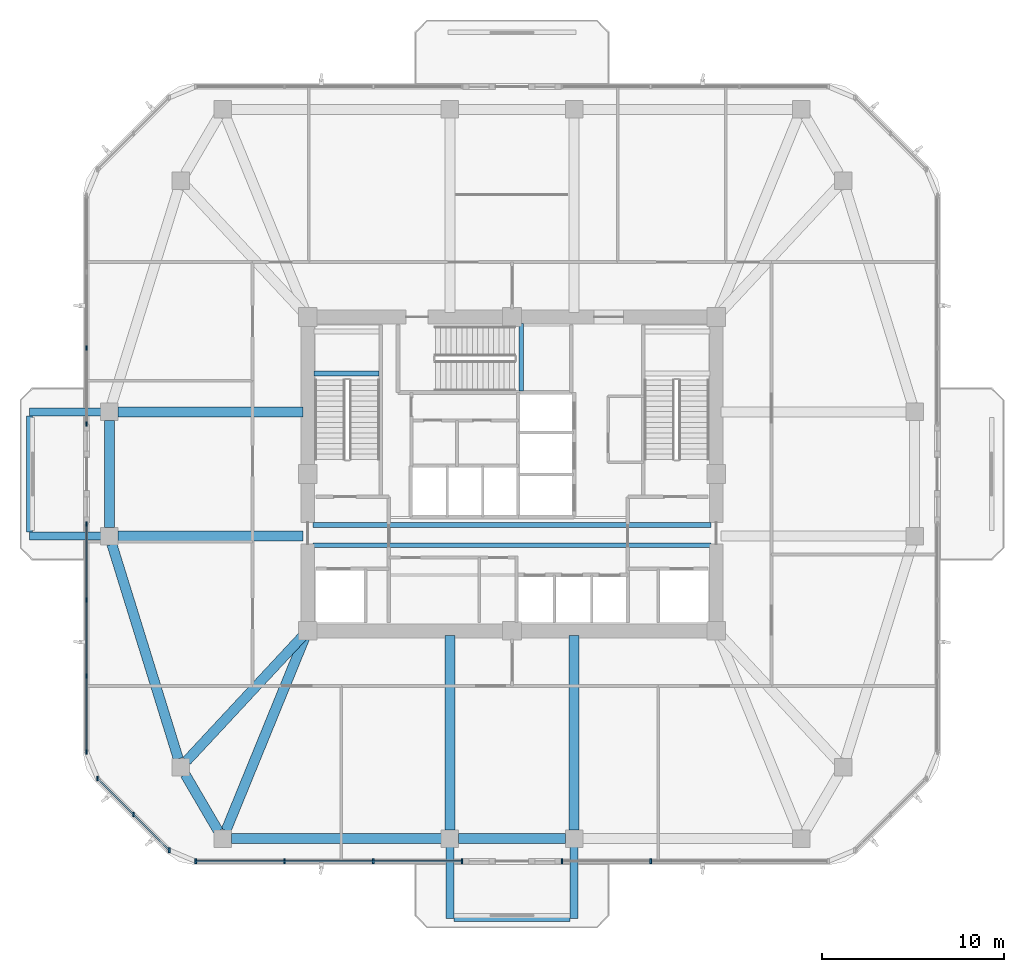
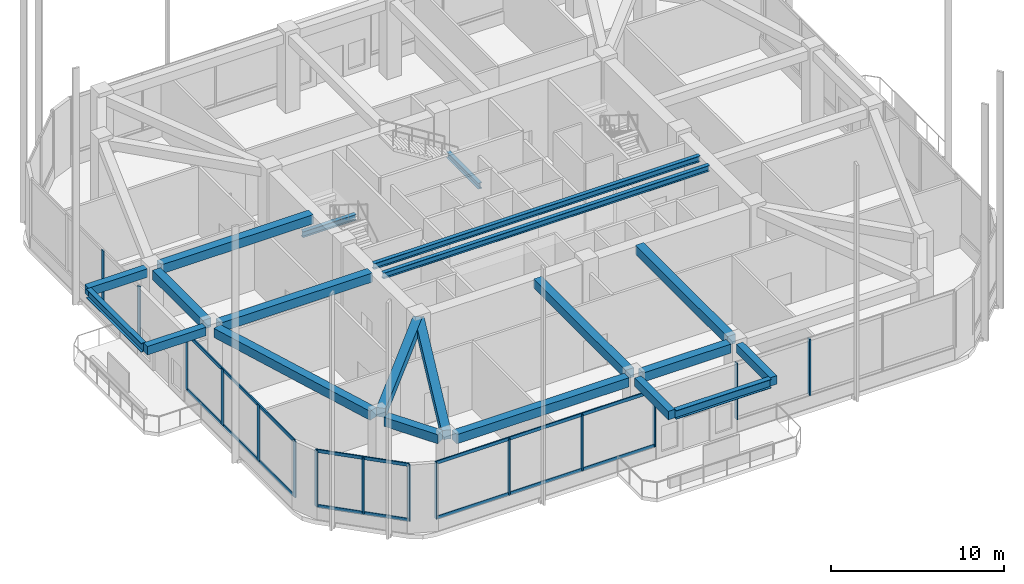
# One storey, part 2 of 12: 21 beams, 21 members, 5 elements without a shape of their own.
"""IFC4 building model written with IfcOpenShell, lengths in metres."""

from ifc_helpers import new_model, si_unit, derived_unit, direction, frame, origin, origin_2d, place, context, subcontext, project, spatial, rectangle, i_section, extrude, material, material_profile, profile_set, type_object, element, aggregate, save


model = new_model("IFC4")

# Units and contexts
model_context = context("Model", 3, precision=1e-05, world=origin(), true_north=direction((0.0, 1.0)))
body_context = subcontext(model_context, "Body", "Model", "MODEL_VIEW")
ifc_project = project(units=[si_unit("LENGTHUNIT", "METRE"), si_unit("AREAUNIT", "SQUARE_METRE"), si_unit("VOLUMEUNIT", "CUBIC_METRE"), si_unit("PLANEANGLEUNIT", "RADIAN"), si_unit("MASSUNIT", "GRAM", prefix="KILO"), derived_unit("THERMALTRANSMITTANCEUNIT", [(si_unit("POWERUNIT", "WATT"), 1), (si_unit("LENGTHUNIT", "METRE"), -2), (si_unit("THERMODYNAMICTEMPERATUREUNIT", "KELVIN"), -1)])], contexts=[model_context])

# Site, building, storey
site_placement = place(None, origin())
site = spatial("IfcSite", under=ifc_project, at=site_placement, CompositionType="ELEMENT")
building_placement = place(site_placement, origin())
building = spatial("IfcBuilding", under=site, at=building_placement, Name="Koralith Skygarden Medical Center", CompositionType="ELEMENT")
storey_placement = place(building_placement, frame((0.0, 0.0, 129.06005859375)))
storey = spatial("IfcBuildingStorey", under=building, at=storey_placement, Name="L33", CompositionType="ELEMENT", Elevation=129.06005859375)

# Curtain wall, members
ifc_material_1 = material(Name="Clear Laminated Glass", Category="glass")
curtain_wall_type = type_object("IfcCurtainWallType", Name="CW-7 Sky-Garden & Pool Conservatory Wall", PredefinedType="NOTDEFINED", material=ifc_material_1)
curtain_wall_1_placement = place(storey_placement, origin())
curtain_wall_1 = element("IfcCurtainWall", 1, at=curtain_wall_1_placement, inside=storey, type_object=curtain_wall_type, Name="Curtain Wall CW-L33-S-L", PredefinedType="NOTDEFINED")
ifc_material_2 = material(Name="Aluminium 6063-T6", Category="aluminium")
ifc_material_profile_1 = material_profile(ifc_material_2, rectangle(XDim=0.0859375, YDim=0.25, at=origin_2d()), Name="MUL86X250")
ifc_profile_set_1 = profile_set([ifc_material_profile_1], Name="Aluminium 6063-T6")
member_type_1 = type_object("IfcMemberType", Name="CW-7 Extruded Mullion 86x250", PredefinedType="MULLION", material=ifc_profile_set_1)
member_1_placement = place(storey_placement, frame((19.6708984375, 4.679931640625, 0.849853515625), z_axis=(0.0, 0.0, 1.0), x_axis=(1.0, 0.0, 0.0)))
member_1 = element("IfcMember", 2, at=member_1_placement, type_object=member_type_1, Name="CW-L33-S-L Mullion 1", PredefinedType="MULLION", context=body_context, shape_type="SweptSolid", body=[
    extrude(rectangle(XDim=0.0859375, YDim=0.25, at=origin_2d()), origin(), (0.0, 0.0, 1.0), 3.97998046875),
])
member_2_placement = place(storey_placement, frame((24.533935546875, 4.679931640625, 0.849853515625), z_axis=(0.0, 0.0, 1.0), x_axis=(1.0, 0.0, 0.0)))
member_2 = element("IfcMember", 3, at=member_2_placement, type_object=member_type_1, Name="CW-L33-S-L Mullion 2", PredefinedType="MULLION", context=body_context, shape_type="SweptSolid", body=[
    extrude(rectangle(XDim=0.0859375, YDim=0.25, at=origin_2d()), origin(), (0.0, 0.0, 1.0), 3.97998046875),
])
member_3_placement = place(storey_placement, frame((29.39599609375, 4.679931640625, 0.849853515625), z_axis=(0.0, 0.0, 1.0), x_axis=(1.0, 0.0, 0.0)))
member_3 = element("IfcMember", 4, at=member_3_placement, type_object=member_type_1, Name="CW-L33-S-L Mullion 3", PredefinedType="MULLION", context=body_context, shape_type="SweptSolid", body=[
    extrude(rectangle(XDim=0.0859375, YDim=0.25, at=origin_2d()), origin(), (0.0, 0.0, 1.0), 3.97998046875),
])
member_4_placement = place(storey_placement, frame((34.259033203125, 4.679931640625, 0.849853515625), z_axis=(0.0, 0.0, 1.0), x_axis=(1.0, 0.0, 0.0)))
member_4 = element("IfcMember", 5, at=member_4_placement, type_object=member_type_1, Name="CW-L33-S-L Mullion 4", PredefinedType="MULLION", context=body_context, shape_type="SweptSolid", body=[
    extrude(rectangle(XDim=0.0859375, YDim=0.25, at=origin_2d()), origin(), (0.0, 0.0, 1.0), 3.97998046875),
])

curtain_wall_2_placement = place(storey_placement, origin())
curtain_wall_2 = element("IfcCurtainWall", 6, at=curtain_wall_2_placement, inside=storey, type_object=curtain_wall_type, Name="Curtain Wall CW-L33-S-R", PredefinedType="NOTDEFINED")
member_5_placement = place(storey_placement, frame((39.739013671875, 4.679931640625, 0.849853515625), z_axis=(0.0, 0.0, 1.0), x_axis=(1.0, 0.0, 0.0)))
member_5 = element("IfcMember", 7, at=member_5_placement, type_object=member_type_1, Name="CW-L33-S-R Mullion 1", PredefinedType="MULLION", context=body_context, shape_type="SweptSolid", body=[
    extrude(rectangle(XDim=0.0859375, YDim=0.25, at=origin_2d()), origin(), (0.0, 0.0, 1.0), 3.97998046875),
])
member_6_placement = place(storey_placement, frame((44.60205078125, 4.679931640625, 0.849853515625), z_axis=(0.0, 0.0, 1.0), x_axis=(1.0, 0.0, 0.0)))
member_6 = element("IfcMember", 8, at=member_6_placement, type_object=member_type_1, Name="CW-L33-S-R Mullion 2", PredefinedType="MULLION", context=body_context, shape_type="SweptSolid", body=[
    extrude(rectangle(XDim=0.0859375, YDim=0.25, at=origin_2d()), origin(), (0.0, 0.0, 1.0), 3.97998046875),
])
aggregate(curtain_wall_2, [member_5, member_6])

curtain_wall_3_placement = place(storey_placement, origin())
curtain_wall_3 = element("IfcCurtainWall", 9, at=curtain_wall_3_placement, inside=storey, type_object=curtain_wall_type, Name="Curtain Wall CW-L33-W-L", PredefinedType="NOTDEFINED")
member_7_placement = place(storey_placement, frame((13.696044921875, 32.80908203125, 0.849853515625), z_axis=(0.0, 0.0, 1.0), x_axis=(1.0, 0.0, 0.0)))
member_7 = element("IfcMember", 10, at=member_7_placement, type_object=member_type_1, Name="CW-L33-W-L Mullion 3", PredefinedType="MULLION", context=body_context, shape_type="SweptSolid", body=[
    extrude(rectangle(XDim=0.0859375, YDim=0.25, at=origin_2d()), origin(), (0.0, 0.0, 1.0), 3.97998046875),
])
member_8_placement = place(storey_placement, frame((13.696044921875, 28.64111328125, 0.849853515625), z_axis=(0.0, 0.0, 1.0), x_axis=(1.0, 0.0, 0.0)))
member_8 = element("IfcMember", 11, at=member_8_placement, type_object=member_type_1, Name="CW-L33-W-L Mullion 4", PredefinedType="MULLION", context=body_context, shape_type="SweptSolid", body=[
    extrude(rectangle(XDim=0.0859375, YDim=0.25, at=origin_2d()), origin(), (0.0, 0.0, 1.0), 3.97998046875),
])
aggregate(curtain_wall_3, [member_7, member_8])

curtain_wall_4_placement = place(storey_placement, origin())
curtain_wall_4 = element("IfcCurtainWall", 12, at=curtain_wall_4_placement, inside=storey, type_object=curtain_wall_type, Name="Curtain Wall CW-L33-W-R", PredefinedType="NOTDEFINED")
member_9_placement = place(storey_placement, frame((13.696044921875, 23.160888671875, 0.849853515625), z_axis=(0.0, 0.0, 1.0), x_axis=(1.0, 0.0, 0.0)))
member_9 = element("IfcMember", 13, at=member_9_placement, type_object=member_type_1, Name="CW-L33-W-R Mullion 1", PredefinedType="MULLION", context=body_context, shape_type="SweptSolid", body=[
    extrude(rectangle(XDim=0.0859375, YDim=0.25, at=origin_2d()), origin(), (0.0, 0.0, 1.0), 3.97998046875),
])
member_10_placement = place(storey_placement, frame((13.696044921875, 18.991943359375, 0.849853515625), z_axis=(0.0, 0.0, 1.0), x_axis=(1.0, 0.0, 0.0)))
member_10 = element("IfcMember", 14, at=member_10_placement, type_object=member_type_1, Name="CW-L33-W-R Mullion 2", PredefinedType="MULLION", context=body_context, shape_type="SweptSolid", body=[
    extrude(rectangle(XDim=0.0859375, YDim=0.25, at=origin_2d()), origin(), (0.0, 0.0, 1.0), 3.97998046875),
])
member_11_placement = place(storey_placement, frame((13.696044921875, 14.823974609375, 0.849853515625), z_axis=(0.0, 0.0, 1.0), x_axis=(1.0, 0.0, 0.0)))
member_11 = element("IfcMember", 15, at=member_11_placement, type_object=member_type_1, Name="CW-L33-W-R Mullion 3", PredefinedType="MULLION", context=body_context, shape_type="SweptSolid", body=[
    extrude(rectangle(XDim=0.0859375, YDim=0.25, at=origin_2d()), origin(), (0.0, 0.0, 1.0), 3.97998046875),
])
member_12_placement = place(storey_placement, frame((13.696044921875, 10.655029296875, 0.849853515625), z_axis=(0.0, 0.0, 1.0), x_axis=(1.0, 0.0, 0.0)))
member_12 = element("IfcMember", 16, at=member_12_placement, type_object=member_type_1, Name="CW-L33-W-R Mullion 4", PredefinedType="MULLION", context=body_context, shape_type="SweptSolid", body=[
    extrude(rectangle(XDim=0.0859375, YDim=0.25, at=origin_2d()), origin(), (0.0, 0.0, 1.0), 3.97998046875),
])

curtain_wall_5_placement = place(storey_placement, origin())
curtain_wall_5 = element("IfcCurtainWall", 17, at=curtain_wall_5_placement, inside=storey, type_object=curtain_wall_type, Name="Curtain Wall CW-L33-SW", PredefinedType="NOTDEFINED")
member_13_placement = place(storey_placement, frame((14.297119140625, 9.2041015625, 0.849853515625), z_axis=(0.0, 0.0, 1.0), x_axis=(1.0, 0.0, 0.0)))
member_13 = element("IfcMember", 18, at=member_13_placement, type_object=member_type_1, Name="CW-L33-SW Mullion 1", PredefinedType="MULLION", context=body_context, shape_type="SweptSolid", body=[
    extrude(rectangle(XDim=0.0859375, YDim=0.25, at=origin_2d()), origin(), (0.0, 0.0, 1.0), 3.97998046875),
])
member_14_placement = place(storey_placement, frame((16.258056640625, 7.241943359375, 0.849853515625), z_axis=(0.0, 0.0, 1.0), x_axis=(1.0, 0.0, 0.0)))
member_14 = element("IfcMember", 19, at=member_14_placement, type_object=member_type_1, Name="CW-L33-SW Mullion 2", PredefinedType="MULLION", context=body_context, shape_type="SweptSolid", body=[
    extrude(rectangle(XDim=0.0859375, YDim=0.25, at=origin_2d()), origin(), (0.0, 0.0, 1.0), 3.97998046875),
])
member_15_placement = place(storey_placement, frame((18.219970703125, 5.281005859375, 0.849853515625), z_axis=(0.0, 0.0, 1.0), x_axis=(1.0, 0.0, 0.0)))
member_15 = element("IfcMember", 20, at=member_15_placement, type_object=member_type_1, Name="CW-L33-SW Mullion 3", PredefinedType="MULLION", context=body_context, shape_type="SweptSolid", body=[
    extrude(rectangle(XDim=0.0859375, YDim=0.25, at=origin_2d()), origin(), (0.0, 0.0, 1.0), 3.97998046875),
])

# Member
ifc_material_profile_2 = material_profile(ifc_material_2, rectangle(XDim=0.0810546875, YDim=0.22509765625, at=origin_2d()), Name="TRN81X225")
ifc_profile_set_2 = profile_set([ifc_material_profile_2], Name="Aluminium 6063-T6")
member_type_2 = type_object("IfcMemberType", Name="CW-7 Thermal Transom 81x225", PredefinedType="USERDEFINED", material=ifc_profile_set_2)
member_16_placement = place(storey_placement, frame((19.6708984375, 4.679931640625, 0.89990234375), z_axis=(1.0, 0.0, 0.0), x_axis=(0.0, 1.0, 0.0)))
member_16 = element("IfcMember", 21, at=member_16_placement, type_object=member_type_2, Name="CW-L33-S-L Transom 1", ObjectType="TRANSOM", PredefinedType="USERDEFINED", context=body_context, shape_type="SweptSolid", body=[
    extrude(rectangle(XDim=0.0810546875, YDim=0.22509765625, at=origin_2d()), origin(), (0.0, 0.0, 1.0), 14.588134765625),
])

member_17_placement = place(storey_placement, frame((19.6708984375, 4.679931640625, 4.780029296875), z_axis=(1.0, 0.0, 0.0), x_axis=(0.0, 1.0, 0.0)))
member_17 = element("IfcMember", 22, at=member_17_placement, type_object=member_type_2, Name="CW-L33-S-L Transom 2", ObjectType="TRANSOM", PredefinedType="USERDEFINED", context=body_context, shape_type="SweptSolid", body=[
    extrude(rectangle(XDim=0.0810546875, YDim=0.22509765625, at=origin_2d()), origin(), (0.0, 0.0, 1.0), 14.588134765625),
])

aggregate(curtain_wall_1, [member_1, member_2, member_3, member_4, member_16, member_17])

member_18_placement = place(storey_placement, frame((13.696044921875, 23.160888671875, 0.89990234375), z_axis=(0.0, -1.0, 0.0), x_axis=(1.0, 0.0, 0.0)))
member_18 = element("IfcMember", 23, at=member_18_placement, type_object=member_type_2, Name="CW-L33-W-R Transom 1", ObjectType="TRANSOM", PredefinedType="USERDEFINED", context=body_context, shape_type="SweptSolid", body=[
    extrude(rectangle(XDim=0.0810546875, YDim=0.22509765625, at=origin_2d()), origin(), (0.0, 0.0, 1.0), 12.505859375),
])

member_19_placement = place(storey_placement, frame((13.696044921875, 23.160888671875, 4.780029296875), z_axis=(0.0, -1.0, 0.0), x_axis=(1.0, 0.0, 0.0)))
member_19 = element("IfcMember", 24, at=member_19_placement, type_object=member_type_2, Name="CW-L33-W-R Transom 2", ObjectType="TRANSOM", PredefinedType="USERDEFINED", context=body_context, shape_type="SweptSolid", body=[
    extrude(rectangle(XDim=0.0810546875, YDim=0.22509765625, at=origin_2d()), origin(), (0.0, 0.0, 1.0), 12.505859375),
])

aggregate(curtain_wall_4, [member_9, member_10, member_11, member_12, member_18, member_19])

member_20_placement = place(storey_placement, frame((14.297119140625, 9.2041015625, 0.89990234375), z_axis=(0.707084777957, -0.707128783731, 0.0), x_axis=(0.707128783731, 0.707084777957, 0.0)))
member_20 = element("IfcMember", 25, at=member_20_placement, type_object=member_type_2, Name="CW-L33-SW Transom 1", ObjectType="TRANSOM", PredefinedType="USERDEFINED", context=body_context, shape_type="SweptSolid", body=[
    extrude(rectangle(XDim=0.0810546875, YDim=0.22509765625, at=origin_2d()), origin(), (0.0, 0.0, 1.0), 5.5478515625),
])

member_21_placement = place(storey_placement, frame((14.297119140625, 9.2041015625, 4.780029296875), z_axis=(0.707084777957, -0.707128783731, 0.0), x_axis=(0.707128783731, 0.707084777957, 0.0)))
member_21 = element("IfcMember", 26, at=member_21_placement, type_object=member_type_2, Name="CW-L33-SW Transom 2", ObjectType="TRANSOM", PredefinedType="USERDEFINED", context=body_context, shape_type="SweptSolid", body=[
    extrude(rectangle(XDim=0.0810546875, YDim=0.22509765625, at=origin_2d()), origin(), (0.0, 0.0, 1.0), 5.5478515625),
])

aggregate(curtain_wall_5, [member_13, member_14, member_15, member_20, member_21])

# Beams
ifc_material_3 = material(Name="Steel ASTM A992 Grade 50", Category="steel")
ifc_material_profile_3 = material_profile(ifc_material_3, i_section(OverallWidth=0.326904296875, OverallDepth=0.6220703125, WebThickness=0.015380859375, FlangeThickness=0.0244140625, at=origin_2d()), Name="W24X131")
ifc_profile_set_3 = profile_set([ifc_material_profile_3], Name="Steel ASTM A992 Grade 50")
beam_type_1 = type_object("IfcBeamType", Name="Cantilever Tie Beam W24X131", PredefinedType="BEAM", material=ifc_profile_set_3)
beam_1_placement = place(storey_placement, frame((33.820068359375, 1.5400390625, 5.18896484375), z_axis=(1.0, 0.0, 0.0), x_axis=(0.0, 1.0, 0.0)))
element("IfcBeam", 27, at=beam_1_placement, inside=storey, type_object=beam_type_1, Name="L34 S Balcony Tip Tie Beam", PredefinedType="BEAM", context=body_context, shape_type="SweptSolid", body=[
    extrude(i_section(OverallWidth=0.326904296875, OverallDepth=0.6220703125, WebThickness=0.015380859375, FlangeThickness=0.0244140625, at=origin_2d()), origin(), (0.0, 0.0, 1.0), 6.35986328125),
])
beam_2_placement = place(storey_placement, frame((10.555908203125, 22.719970703125, 5.18896484375), z_axis=(0.0, 1.0, 0.0), x_axis=(-1.0, 0.0, 0.0)))
element("IfcBeam", 28, at=beam_2_placement, inside=storey, type_object=beam_type_1, Name="L34 W Balcony Tip Tie Beam", PredefinedType="BEAM", context=body_context, shape_type="SweptSolid", body=[
    extrude(i_section(OverallWidth=0.326904296875, OverallDepth=0.6220703125, WebThickness=0.015380859375, FlangeThickness=0.0244140625, at=origin_2d()), origin(), (0.0, 0.0, 1.0), 6.360107421875),
])
ifc_material_profile_4 = material_profile(ifc_material_3, i_section(OverallWidth=0.260009765625, OverallDepth=0.4150390625, WebThickness=0.010009765625, FlangeThickness=0.016845703125, at=origin_2d()), Name="W16X67")
ifc_profile_set_4 = profile_set([ifc_material_profile_4], Name="Steel ASTM A992 Grade 50")
beam_type_2 = type_object("IfcBeamType", Name="Clinical Floor Joist W16X67", PredefinedType="JOIST", material=ifc_profile_set_4)
for number, where, z_axis, x_axis, name in (
    (29, (26.10009765625, 22.0, 5.27197265625), (1.0, 0.0, 0.0), (0.0, 1.0, 0.0), "L33 Core Lobby Floor Joist 1"),
    (30, (26.10009765625, 23.10009765625, 5.27197265625), (1.0, 0.0, 0.0), (0.0, 1.0, 0.0), "L33 Core Lobby Floor Joist 2"),
):
    element("IfcBeam", number, at=place(storey_placement, frame(where, z_axis=z_axis, x_axis=x_axis)), inside=storey, type_object=beam_type_2, Name=name, PredefinedType="JOIST", context=body_context, shape_type="SweptSolid", body=[
        extrude(i_section(OverallWidth=0.260009765625, OverallDepth=0.4150390625, WebThickness=0.010009765625, FlangeThickness=0.016845703125, at=origin_2d()), origin(), (0.0, 0.0, 1.0), 21.7998046875),
    ])
beam_3_placement = place(storey_placement, frame((26.155029296875, 31.39990234375, 2.471923828125), z_axis=(1.0, 0.0, 0.0), x_axis=(0.0, 1.0, 0.0)))
element("IfcBeam", 31, at=beam_3_placement, inside=storey, type_object=beam_type_2, Name="L33 Stair ST1 Half-Landing Support Beam 1A", PredefinedType="JOIST", context=body_context, shape_type="SweptSolid", body=[
    extrude(i_section(OverallWidth=0.260009765625, OverallDepth=0.4150390625, WebThickness=0.010009765625, FlangeThickness=0.016845703125, at=origin_2d()), origin(), (0.0, 0.0, 1.0), 3.56494140625),
])
beam_4_placement = place(storey_placement, frame((37.5, 30.43994140625, 2.471923828125), z_axis=(0.0, 1.0, 0.0), x_axis=(-1.0, 0.0, 0.0)))
element("IfcBeam", 32, at=beam_4_placement, inside=storey, type_object=beam_type_2, Name="L33 Stair ST3 Half-Landing Support Beam 1A", PredefinedType="JOIST", context=body_context, shape_type="SweptSolid", body=[
    extrude(i_section(OverallWidth=0.260009765625, OverallDepth=0.4150390625, WebThickness=0.010009765625, FlangeThickness=0.016845703125, at=origin_2d()), origin(), (0.0, 0.0, 1.0), 3.705078125),
])
ifc_material_4 = material(Name="Concrete C45/55", Category="concrete")
ifc_material_profile_5 = material_profile(ifc_material_4, rectangle(XDim=0.449951171875, YDim=0.60009765625, at=origin_2d()), Name="RCB450X600")
ifc_profile_set_5 = profile_set([ifc_material_profile_5], Name="Concrete C45/55")
beam_type_3 = type_object("IfcBeamType", Name="Planted Balcony Cantilever Beam RCB450X600", PredefinedType="BEAM", material=ifc_profile_set_5)
for number, where, z_axis, x_axis, name in (
    (33, (33.60009765625, 5.4599609375, 5.199951171875), (0.0, -1.0, 0.0), (1.0, 0.0, 0.0), "L34 S Balcony Cantilever Beam A"),
    (34, (40.39990234375, 5.4599609375, 5.199951171875), (0.0, -1.0, 0.0), (1.0, 0.0, 0.0), "L34 S Balcony Cantilever Beam B"),
):
    element("IfcBeam", number, at=place(storey_placement, frame(where, z_axis=z_axis, x_axis=x_axis)), inside=storey, type_object=beam_type_3, Name=name, PredefinedType="BEAM", context=body_context, shape_type="SweptSolid", body=[
        extrude(rectangle(XDim=0.449951171875, YDim=0.60009765625, at=origin_2d()), origin(), (0.0, 0.0, 1.0), 3.919921875),
    ])
for number, where, z_axis, x_axis, name in (
    (35, (14.47607421875, 22.5, 5.199951171875), (-1.0, 0.0, 0.0), (0.0, -1.0, 0.0), "L34 W Balcony Cantilever Beam A"),
    (36, (14.47607421875, 29.300048828125, 5.199951171875), (-1.0, 0.0, 0.0), (0.0, -1.0, 0.0), "L34 W Balcony Cantilever Beam B"),
):
    element("IfcBeam", number, at=place(storey_placement, frame(where, z_axis=z_axis, x_axis=x_axis)), inside=storey, type_object=beam_type_3, Name=name, PredefinedType="BEAM", context=body_context, shape_type="SweptSolid", body=[
        extrude(rectangle(XDim=0.449951171875, YDim=0.60009765625, at=origin_2d()), origin(), (0.0, 0.0, 1.0), 3.920166015625),
    ])
ifc_material_profile_6 = material_profile(ifc_material_4, rectangle(XDim=0.550048828125, YDim=0.639892578125, at=origin_2d()), Name="RCB550X640")
ifc_profile_set_6 = profile_set([ifc_material_profile_6], Name="Concrete C45/55")
beam_type_4 = type_object("IfcBeamType", Name="Radial Collector Beam RCB550X640", PredefinedType="BEAM", material=ifc_profile_set_6)
beam_5_placement = place(storey_placement, frame((25.550048828125, 22.5, 5.159912109375), z_axis=(-1.0, 0.0, 0.0), x_axis=(0.0, -1.0, 0.0)))
element("IfcBeam", 37, at=beam_5_placement, inside=storey, type_object=beam_type_4, Name="L33 Radial Collector Beam RB-01", PredefinedType="BEAM", context=body_context, shape_type="SweptSolid", body=[
    extrude(rectangle(XDim=0.550048828125, YDim=0.639892578125, at=origin_2d()), origin(), (0.0, 0.0, 1.0), 10.14404296875),
])
beam_6_placement = place(storey_placement, frame((25.6298828125, 17.116943359375, 5.159912109375), z_axis=(-0.681369011591, -0.731940072713, 0.0), x_axis=(0.731940072713, -0.681369011591, 0.0)))
element("IfcBeam", 38, at=beam_6_placement, inside=storey, type_object=beam_type_4, Name="L33 Radial Collector Beam RB-02", PredefinedType="BEAM", context=body_context, shape_type="SweptSolid", body=[
    extrude(rectangle(XDim=0.550048828125, YDim=0.639892578125, at=origin_2d()), origin(), (0.0, 0.0, 1.0), 9.471923828125),
])
beam_7_placement = place(storey_placement, frame((25.705078125, 17.069091796875, 5.159912109375), z_axis=(-0.378344544364, -0.92566484526, 0.0), x_axis=(0.92566484526, -0.378344544364, 0.0)))
element("IfcBeam", 39, at=beam_7_placement, inside=storey, type_object=beam_type_4, Name="L33 Radial Collector Beam RB-03", PredefinedType="BEAM", context=body_context, shape_type="SweptSolid", body=[
    extrude(rectangle(XDim=0.550048828125, YDim=0.639892578125, at=origin_2d()), origin(), (0.0, 0.0, 1.0), 11.574462890625),
])
for number, where, z_axis, x_axis, name in (
    (40, (33.60009765625, 17.050048828125, 5.159912109375), (0.0, -1.0, 0.0), (1.0, 0.0, 0.0), "L33 Radial Collector Beam RB-04"),
    (41, (40.39990234375, 17.050048828125, 5.159912109375), (0.0, -1.0, 0.0), (1.0, 0.0, 0.0), "L33 Radial Collector Beam RB-05"),
):
    element("IfcBeam", number, at=place(storey_placement, frame(where, z_axis=z_axis, x_axis=x_axis)), inside=storey, type_object=beam_type_4, Name=name, PredefinedType="BEAM", context=body_context, shape_type="SweptSolid", body=[
        extrude(rectangle(XDim=0.550048828125, YDim=0.639892578125, at=origin_2d()), origin(), (0.0, 0.0, 1.0), 10.66015625),
    ])
beam_8_placement = place(storey_placement, frame((25.550048828125, 29.300048828125, 5.159912109375), z_axis=(-1.0, 0.0, 0.0), x_axis=(0.0, -1.0, 0.0)))
element("IfcBeam", 42, at=beam_8_placement, inside=storey, type_object=beam_type_4, Name="L33 Radial Collector Beam RB-16", PredefinedType="BEAM", context=body_context, shape_type="SweptSolid", body=[
    extrude(rectangle(XDim=0.550048828125, YDim=0.639892578125, at=origin_2d()), origin(), (0.0, 0.0, 1.0), 10.14404296875),
])
ifc_material_profile_7 = material_profile(ifc_material_4, rectangle(XDim=0.550048828125, YDim=0.639892578125, at=origin_2d()), Name="RCB550X640")
ifc_profile_set_7 = profile_set([ifc_material_profile_7], Name="Concrete C45/55")
beam_type_5 = type_object("IfcBeamType", Name="Zone 2-3 Spandrel Beam RCB550X640", PredefinedType="SPANDREL", material=ifc_profile_set_7)
beam_9_placement = place(storey_placement, frame((15.074951171875, 22.051025390625, 5.159912109375), z_axis=(0.295793585147, -0.955251880389, 0.0), x_axis=(0.955251880389, 0.295793585147, 0.0)))
element("IfcBeam", 43, at=beam_9_placement, inside=storey, type_object=beam_type_5, Name="L33 Perimeter Spandrel Beam SP-01", PredefinedType="SPANDREL", context=body_context, shape_type="SweptSolid", body=[
    extrude(rectangle(XDim=0.550048828125, YDim=0.639892578125, at=origin_2d()), origin(), (0.0, 0.0, 1.0), 12.31298828125),
])
beam_10_placement = place(storey_placement, frame((19.093017578125, 9.43408203125, 5.159912109375), z_axis=(0.504861391295, -0.863200426077, 0.0), x_axis=(0.863200426077, 0.504861391295, 0.0)))
element("IfcBeam", 44, at=beam_10_placement, inside=storey, type_object=beam_type_5, Name="L33 Perimeter Spandrel Beam SP-02", PredefinedType="SPANDREL", context=body_context, shape_type="SweptSolid", body=[
    extrude(rectangle(XDim=0.550048828125, YDim=0.639892578125, at=origin_2d()), origin(), (0.0, 0.0, 1.0), 3.600830078125),
])
beam_11_placement = place(storey_placement, frame((21.617919921875, 5.919921875, 5.159912109375), z_axis=(1.0, 0.0, 0.0), x_axis=(0.0, 1.0, 0.0)))
element("IfcBeam", 45, at=beam_11_placement, inside=storey, type_object=beam_type_5, Name="L33 Perimeter Spandrel Beam SP-03", PredefinedType="SPANDREL", context=body_context, shape_type="SweptSolid", body=[
    extrude(rectangle(XDim=0.550048828125, YDim=0.639892578125, at=origin_2d()), origin(), (0.0, 0.0, 1.0), 11.511962890625),
])
beam_12_placement = place(storey_placement, frame((34.070068359375, 5.919921875, 5.159912109375), z_axis=(1.0, 0.0, 0.0), x_axis=(0.0, 1.0, 0.0)))
element("IfcBeam", 46, at=beam_12_placement, inside=storey, type_object=beam_type_5, Name="L33 Perimeter Spandrel Beam SP-04", PredefinedType="SPANDREL", context=body_context, shape_type="SweptSolid", body=[
    extrude(rectangle(XDim=0.550048828125, YDim=0.639892578125, at=origin_2d()), origin(), (0.0, 0.0, 1.0), 5.85986328125),
])
beam_13_placement = place(storey_placement, frame((14.93603515625, 28.830078125, 5.159912109375), z_axis=(0.0, -1.0, 0.0), x_axis=(1.0, 0.0, 0.0)))
element("IfcBeam", 47, at=beam_13_placement, inside=storey, type_object=beam_type_5, Name="L33 Perimeter Spandrel Beam SP-16", PredefinedType="SPANDREL", context=body_context, shape_type="SweptSolid", body=[
    extrude(rectangle(XDim=0.550048828125, YDim=0.639892578125, at=origin_2d()), origin(), (0.0, 0.0, 1.0), 5.860107421875),
])

save(model, "model.ifc")
